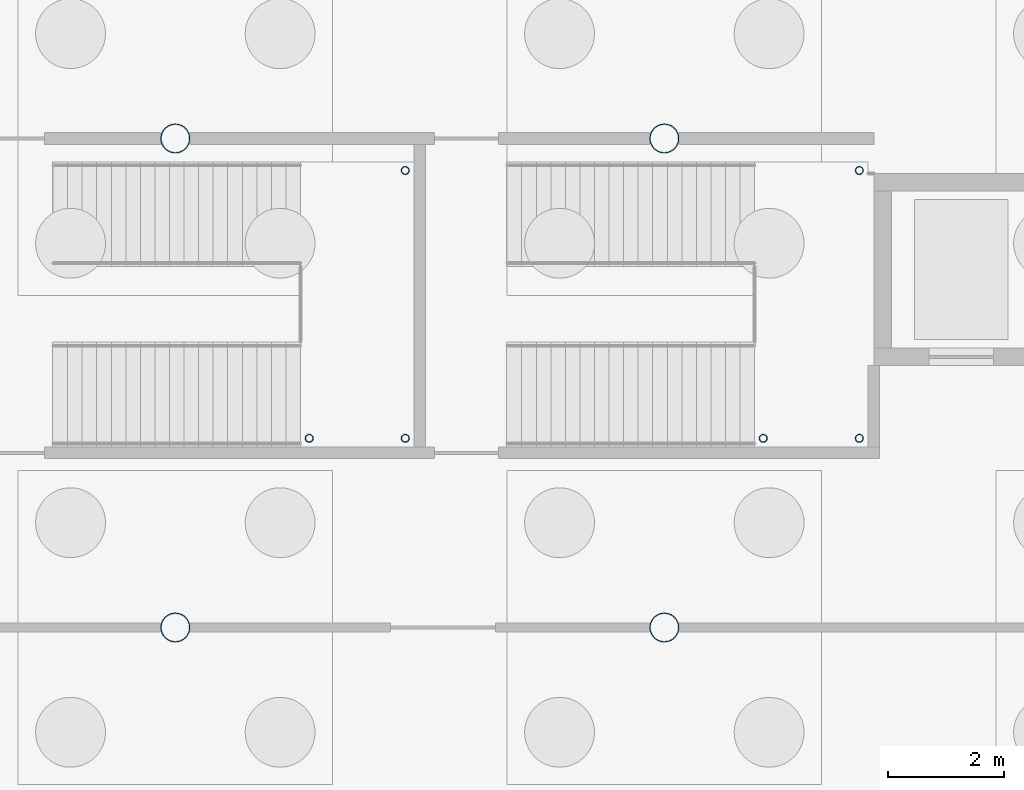
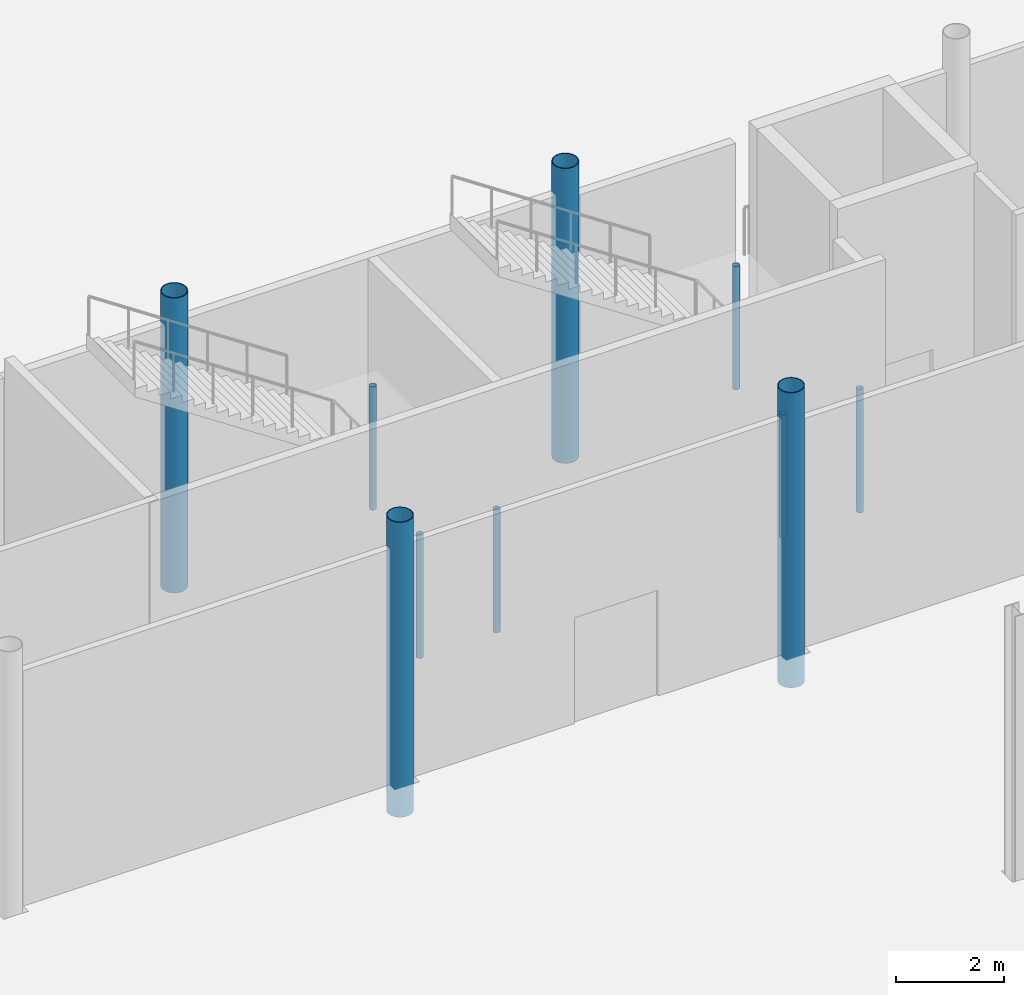
# One storey, part 15 of 212: 10 columns.
"""IFC4 building model written with IfcOpenShell, lengths in metres."""

from ifc_helpers import new_model, si_unit, direction, frame, origin, origin_2d, place, context, subcontext, project, spatial, hollow_circle, extrude, material, material_profile, profile_set, type_object, element, save


model = new_model("IFC4")

# Units and contexts
model_context = context("Model", 3, precision=1e-05, world=origin(), true_north=direction((0.0, 1.0)))
body_context = subcontext(model_context, "Body", "Model", "MODEL_VIEW")
ifc_project = project(units=[si_unit("LENGTHUNIT", "METRE"), si_unit("AREAUNIT", "SQUARE_METRE"), si_unit("VOLUMEUNIT", "CUBIC_METRE"), si_unit("PLANEANGLEUNIT", "RADIAN"), si_unit("MASSUNIT", "GRAM", prefix="KILO")], contexts=[model_context])

# Site, building, storey
site_placement = place(None, origin())
site = spatial("IfcSite", under=ifc_project, at=site_placement, CompositionType="ELEMENT")
building_placement = place(site_placement, origin())
building = spatial("IfcBuilding", under=site, at=building_placement, Name="Catenary Quay Ferry Terminal", CompositionType="ELEMENT")
storey_placement = place(building_placement, origin())
storey = spatial("IfcBuildingStorey", under=building, at=storey_placement, Name="L00", CompositionType="ELEMENT", Elevation=0.0)

# Columns
ifc_material_1 = material(Name="Steel S355", Category="steel")
ifc_material_profile_1 = material_profile(ifc_material_1, hollow_circle(Radius=0.25390625, WallThickness=0.01611328125, at=origin_2d()), Name="CHS 508x16")
ifc_profile_set_1 = profile_set([ifc_material_profile_1], Name="Steel S355")
column_type_1 = type_object("IfcColumnType", Name="C4 CHS 508x16", PredefinedType="COLUMN", material=ifc_profile_set_1)
for number, where, z_axis, x_axis, name in (
    (1, (50.39990234375, 100.800048828125, -0.699951171875), (0.0, 0.0, 1.0), (1.0, 0.0, 0.0), "Column C-G13 L00"),
    (2, (58.800048828125, 100.800048828125, -0.699951171875), (0.0, 0.0, 1.0), (1.0, 0.0, 0.0), "Column C-H13 L00"),
    (3, (50.39990234375, 109.199951171875, -0.699951171875), (0.0, 0.0, 1.0), (1.0, 0.0, 0.0), "Column C-G14 L00"),
    (4, (58.800048828125, 109.199951171875, -0.699951171875), (0.0, 0.0, 1.0), (1.0, 0.0, 0.0), "Column C-H14 L00"),
):
    element("IfcColumn", number, at=place(storey_placement, frame(where, z_axis=z_axis, x_axis=x_axis)), inside=storey, type_object=column_type_1, Name=name, PredefinedType="COLUMN", context=body_context, shape_type="SweptSolid", body=[
        extrude(hollow_circle(Radius=0.25390625, WallThickness=0.01611328125, at=origin_2d()), origin(), (0.0, 0.0, 1.0), 6.699951171875),
    ])
ifc_material_2 = material(Name="Steel S355", Category="steel")
ifc_material_profile_2 = material_profile(ifc_material_2, hollow_circle(Radius=0.06982421875, WallThickness=0.008056640625, at=origin_2d()), Name="CHS 139.7x8")
ifc_profile_set_2 = profile_set([ifc_material_profile_2], Name="Steel S355")
column_type_2 = type_object("IfcColumnType", Name="SP1 CHS 139.7x8", PredefinedType="COLUMN", material=ifc_profile_set_2)
for number, where, z_axis, x_axis, name in (
    (5, (54.35009765625, 104.050048828125, 0.0), (0.0, 0.0, 1.0), (1.0, 0.0, 0.0), "Landing post TS2-L00 1"),
    (6, (54.35009765625, 108.64990234375, 0.0), (0.0, 0.0, 1.0), (1.0, 0.0, 0.0), "Landing post TS2-L00 2"),
    (7, (52.699951171875, 104.050048828125, 0.0), (0.0, 0.0, 1.0), (1.0, 0.0, 0.0), "Landing post TS2-L00 3"),
    (8, (62.14990234375, 104.050048828125, 0.0), (0.0, 0.0, 1.0), (1.0, 0.0, 0.0), "Landing post TS4-L00 1"),
    (9, (62.14990234375, 108.64990234375, 0.0), (0.0, 0.0, 1.0), (1.0, 0.0, 0.0), "Landing post TS4-L00 2"),
    (10, (60.5, 104.050048828125, 0.0), (0.0, 0.0, 1.0), (1.0, 0.0, 0.0), "Landing post TS4-L00 3"),
):
    element("IfcColumn", number, at=place(storey_placement, frame(where, z_axis=z_axis, x_axis=x_axis)), inside=storey, type_object=column_type_2, Name=name, PredefinedType="COLUMN", context=body_context, shape_type="SweptSolid", body=[
        extrude(hollow_circle(Radius=0.06982421875, WallThickness=0.008056640625, at=origin_2d()), origin(), (0.0, 0.0, 1.0), 2.800048828125),
    ])

save(model, "model.ifc")
